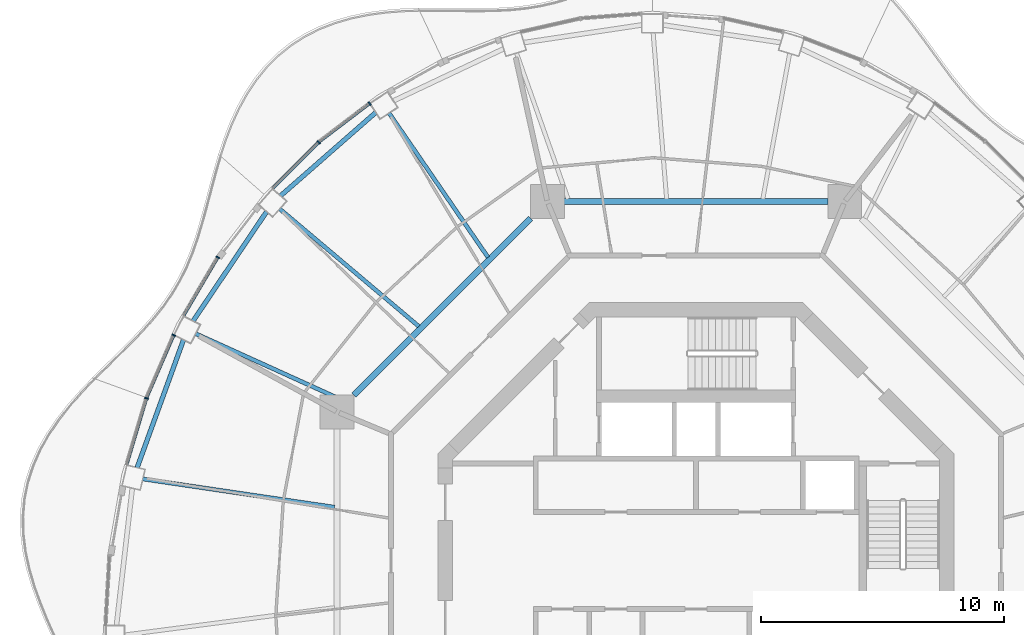
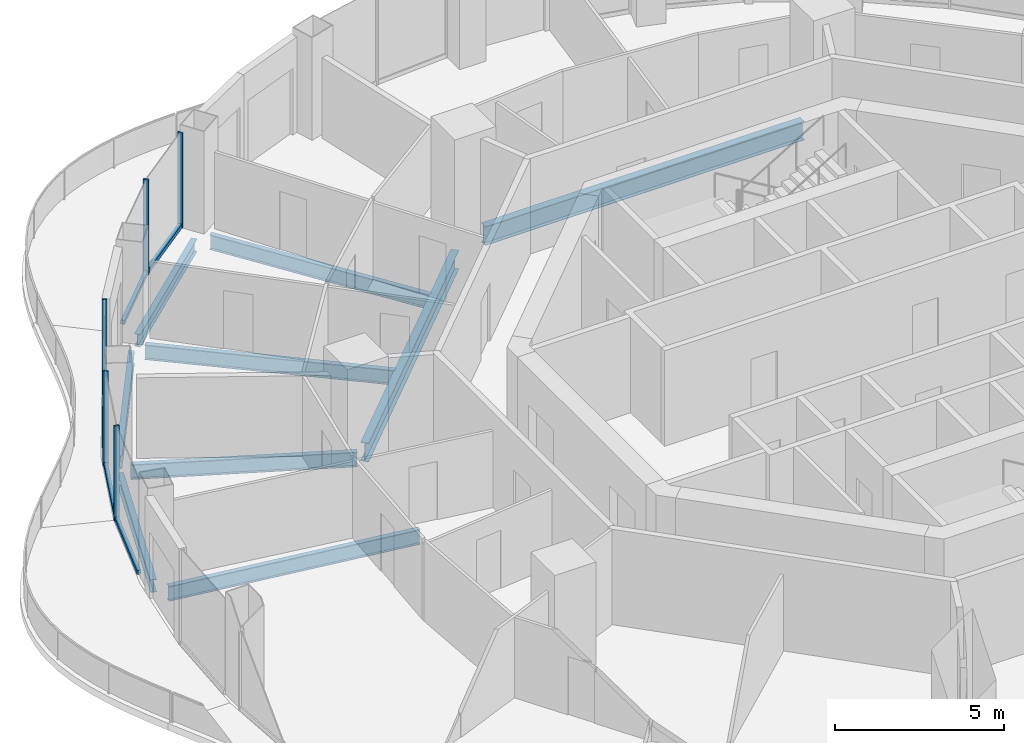
# One storey, part 5 of 17: 10 members, 9 beams, 5 elements without a shape of their own.
"""IFC4 building model written with IfcOpenShell, lengths in metres."""

from ifc_helpers import new_model, si_unit, direction, frame, origin, origin_2d, place, context, subcontext, project, spatial, rectangle, i_section, extrude, material, layer, layer_set, material_profile, profile_set, type_object, element, aggregate, save


model = new_model("IFC4")

# Units and contexts
model_context = context("Model", 3, precision=1e-05, world=origin(), true_north=direction((0.0, 1.0)))
body_context = subcontext(model_context, "Body", "Model", "MODEL_VIEW")
ifc_project = project(units=[si_unit("LENGTHUNIT", "METRE"), si_unit("AREAUNIT", "SQUARE_METRE"), si_unit("VOLUMEUNIT", "CUBIC_METRE"), si_unit("PLANEANGLEUNIT", "RADIAN"), si_unit("MASSUNIT", "GRAM", prefix="KILO")], contexts=[model_context])

# Site, building, storey
site_placement = place(None, origin())
site = spatial("IfcSite", under=ifc_project, at=site_placement, CompositionType="ELEMENT")
building_placement = place(site_placement, origin())
building = spatial("IfcBuilding", under=site, at=building_placement, Name="Nagisa Residences", CompositionType="ELEMENT")
storey_placement = place(building_placement, frame((0.0, 0.0, 291.800048828125)))
storey = spatial("IfcBuildingStorey", under=building, at=storey_placement, Name="L74", CompositionType="ELEMENT", Elevation=291.800048828125)

# Curtain wall, member
ifc_material_1 = material(Name="Concrete-coloured aluminium curtain wall system", Category="concrete")
ifc_layer = layer(ifc_material_1, 0.159912109375)
ifc_layer_set = layer_set([ifc_layer], Name="CW1 CURTAIN WALL")
curtain_wall_type = type_object("IfcCurtainWallType", Name="CW1 CURTAIN WALL", PredefinedType="NOTDEFINED", material=ifc_layer_set)
curtain_wall_1_placement = place(storey_placement, origin())
curtain_wall_1 = element("IfcCurtainWall", 1, at=curtain_wall_1_placement, inside=storey, type_object=curtain_wall_type, Name="cw:CW1:L74:16", PredefinedType="NOTDEFINED")
ifc_material_2 = material(Name="Concrete-coloured aluminium", Category="concrete")
ifc_material_profile_1 = material_profile(ifc_material_2, rectangle(XDim=0.159912109375, YDim=0.06005859375, at=origin_2d()), Name="CW1 MULLION 160x60")
ifc_profile_set_1 = profile_set([ifc_material_profile_1], Name="Concrete-coloured aluminium")
member_type_1 = type_object("IfcMemberType", Name="CW1 MULLION 160x60", PredefinedType="MULLION", material=ifc_profile_set_1)
member_1_placement = place(storey_placement, frame((-13.443603515625, 18.819580078125, 0.0), z_axis=(0.0, 0.0, 1.0), x_axis=(0.605255421737, -0.79603132756, 0.0)))
member_1 = element("IfcMember", 2, at=member_1_placement, type_object=member_type_1, Name="CW1 mullion", PredefinedType="MULLION", context=body_context, shape_type="SweptSolid", body=[
    extrude(rectangle(XDim=0.159912109375, YDim=0.06005859375, at=origin_2d()), origin(), (0.0, 0.0, 1.0), 3.43994140625),
])

curtain_wall_2_placement = place(storey_placement, origin())
curtain_wall_2 = element("IfcCurtainWall", 3, at=curtain_wall_2_placement, inside=storey, type_object=curtain_wall_type, Name="cw:CW1:L74:17", PredefinedType="NOTDEFINED")
member_2_placement = place(storey_placement, frame((-15.534912109375, 17.225341796875, 0.0), z_axis=(0.0, 0.0, 1.0), x_axis=(0.706376885714, -0.707835924016, 0.0)))
member_2 = element("IfcMember", 4, at=member_2_placement, type_object=member_type_1, Name="CW1 mullion", PredefinedType="MULLION", context=body_context, shape_type="SweptSolid", body=[
    extrude(rectangle(XDim=0.159912109375, YDim=0.06005859375, at=origin_2d()), origin(), (0.0, 0.0, 1.0), 3.43994140625),
])

curtain_wall_3_placement = place(storey_placement, origin())
curtain_wall_3 = element("IfcCurtainWall", 5, at=curtain_wall_3_placement, inside=storey, type_object=curtain_wall_type, Name="cw:CW1:L74:19", PredefinedType="NOTDEFINED")
member_3_placement = place(storey_placement, frame((-19.69189453125, 12.4853515625, 0.0), z_axis=(0.0, 0.0, 1.0), x_axis=(0.862328898214, -0.506348567002, 0.0)))
member_3 = element("IfcMember", 6, at=member_3_placement, type_object=member_type_1, Name="CW1 mullion", PredefinedType="MULLION", context=body_context, shape_type="SweptSolid", body=[
    extrude(rectangle(XDim=0.159912109375, YDim=0.06005859375, at=origin_2d()), origin(), (0.0, 0.0, 1.0), 3.43994140625),
])

curtain_wall_4_placement = place(storey_placement, origin())
curtain_wall_4 = element("IfcCurtainWall", 7, at=curtain_wall_4_placement, inside=storey, type_object=curtain_wall_type, Name="cw:CW1:L74:20", PredefinedType="NOTDEFINED")
member_4_placement = place(storey_placement, frame((-21.5068359375, 9.280029296875, 0.0), z_axis=(0.0, 0.0, 1.0), x_axis=(0.917543276295, -0.397635934147, 0.0)))
member_4 = element("IfcMember", 8, at=member_4_placement, type_object=member_type_1, Name="CW1 mullion", PredefinedType="MULLION", context=body_context, shape_type="SweptSolid", body=[
    extrude(rectangle(XDim=0.159912109375, YDim=0.06005859375, at=origin_2d()), origin(), (0.0, 0.0, 1.0), 3.43994140625),
])

curtain_wall_5_placement = place(storey_placement, origin())
curtain_wall_5 = element("IfcCurtainWall", 9, at=curtain_wall_5_placement, inside=storey, type_object=curtain_wall_type, Name="cw:CW1:L74:21", PredefinedType="NOTDEFINED")
member_5_placement = place(storey_placement, frame((-22.630126953125, 6.680908203125, 0.0), z_axis=(0.0, 0.0, 1.0), x_axis=(0.958271310082, -0.285860274038, 0.0)))
member_5 = element("IfcMember", 10, at=member_5_placement, type_object=member_type_1, Name="CW1 mullion", PredefinedType="MULLION", context=body_context, shape_type="SweptSolid", body=[
    extrude(rectangle(XDim=0.159912109375, YDim=0.06005859375, at=origin_2d()), origin(), (0.0, 0.0, 1.0), 3.43994140625),
])

# Member
ifc_material_3 = material(Name="Concrete-coloured aluminium", Category="concrete")
ifc_material_profile_2 = material_profile(ifc_material_3, rectangle(XDim=0.1201171875, YDim=0.14990234375, at=origin_2d()), Name="CW1 TRANSOM 120x150")
ifc_profile_set_2 = profile_set([ifc_material_profile_2], Name="Concrete-coloured aluminium")
member_type_2 = type_object("IfcMemberType", Name="CW1 TRANSOM 120x150", PredefinedType="USERDEFINED", material=ifc_profile_set_2)
member_6_placement = place(storey_placement, frame((-13.419677734375, 18.837646484375, 0.074951171875), z_axis=(-0.796055284084, -0.605223912847, 0.0), x_axis=(0.605223912847, -0.796055284084, 0.0)))
member_6 = element("IfcMember", 11, at=member_6_placement, type_object=member_type_2, Name="CW1 transom", ObjectType="TRANSOM", PredefinedType="USERDEFINED", context=body_context, shape_type="SweptSolid", body=[
    extrude(rectangle(XDim=0.1201171875, YDim=0.14990234375, at=origin_2d()), origin(), (0.0, 0.0, 1.0), 2.640625),
])

aggregate(curtain_wall_1, [member_1, member_6])

member_7_placement = place(storey_placement, frame((-15.513671875, 17.24658203125, 0.074951171875), z_axis=(-0.707831739508, -0.706381078841, 0.0), x_axis=(0.706381078841, -0.707831739508, 0.0)))
member_7 = element("IfcMember", 12, at=member_7_placement, type_object=member_type_2, Name="CW1 transom", ObjectType="TRANSOM", PredefinedType="USERDEFINED", context=body_context, shape_type="SweptSolid", body=[
    extrude(rectangle(XDim=0.1201171875, YDim=0.14990234375, at=origin_2d()), origin(), (0.0, 0.0, 1.0), 2.692626953125),
])

aggregate(curtain_wall_2, [member_2, member_7])

member_8_placement = place(storey_placement, frame((-19.6767578125, 12.51123046875, 0.074951171875), z_axis=(-0.506371364425, -0.862315511452, 0.0), x_axis=(0.862315511452, -0.506371364425, 0.0)))
member_8 = element("IfcMember", 13, at=member_8_placement, type_object=member_type_2, Name="CW1 transom", ObjectType="TRANSOM", PredefinedType="USERDEFINED", context=body_context, shape_type="SweptSolid", body=[
    extrude(rectangle(XDim=0.1201171875, YDim=0.14990234375, at=origin_2d()), origin(), (0.0, 0.0, 1.0), 2.79638671875),
])

aggregate(curtain_wall_3, [member_3, member_8])

member_9_placement = place(storey_placement, frame((-21.4951171875, 9.3076171875, 0.074951171875), z_axis=(-0.397597791596, -0.9175598052, 0.0), x_axis=(0.9175598052, -0.397597791596, 0.0)))
member_9 = element("IfcMember", 14, at=member_9_placement, type_object=member_type_2, Name="CW1 transom", ObjectType="TRANSOM", PredefinedType="USERDEFINED", context=body_context, shape_type="SweptSolid", body=[
    extrude(rectangle(XDim=0.1201171875, YDim=0.14990234375, at=origin_2d()), origin(), (0.0, 0.0, 1.0), 2.841064453125),
])

aggregate(curtain_wall_4, [member_4, member_9])

member_10_placement = place(storey_placement, frame((-22.62158203125, 6.709716796875, 0.074951171875), z_axis=(-0.285798286059, -0.958289799427, 0.0), x_axis=(0.958289799427, -0.285798286059, 0.0)))
member_10 = element("IfcMember", 15, at=member_10_placement, type_object=member_type_2, Name="CW1 transom", ObjectType="TRANSOM", PredefinedType="USERDEFINED", context=body_context, shape_type="SweptSolid", body=[
    extrude(rectangle(XDim=0.1201171875, YDim=0.14990234375, at=origin_2d()), origin(), (0.0, 0.0, 1.0), 2.877197265625),
])

aggregate(curtain_wall_5, [member_5, member_10])

# Beams
ifc_material_4 = material(Name="Steel ASTM A572 Gr 50", Category="steel")
ifc_material_profile_3 = material_profile(ifc_material_4, i_section(OverallWidth=0.2529296875, OverallDepth=0.677978515625, WebThickness=0.01171875, FlangeThickness=0.016357421875, at=origin_2d()), Name="W690x125")
ifc_profile_set_3 = profile_set([ifc_material_profile_3], Name="Steel ASTM A572 Gr 50")
beam_type_1 = type_object("IfcBeamType", Name="Inner ring beam W690x125", PredefinedType="BEAM", material=ifc_profile_set_3)
beam_1_placement = place(storey_placement, frame((5.44287109375, 14.781982421875, -0.59912109375), z_axis=(-1.0, 0.0, 0.0), x_axis=(0.0, -1.0, 0.0)))
element("IfcBeam", 16, at=beam_1_placement, inside=storey, type_object=beam_type_1, Name="beam:L74:ib2", PredefinedType="BEAM", context=body_context, shape_type="SweptSolid", body=[
    extrude(i_section(OverallWidth=0.2529296875, OverallDepth=0.677978515625, WebThickness=0.01171875, FlangeThickness=0.016357421875, at=origin_2d()), origin(), (0.0, 0.0, 1.0), 10.8857421875),
])
beam_2_placement = place(storey_placement, frame((-6.808837890625, 14.09619140625, -0.59912109375), z_axis=(-0.707106781187, -0.707106781187, 0.0), x_axis=(0.707106781187, -0.707106781187, 0.0)))
element("IfcBeam", 17, at=beam_2_placement, inside=storey, type_object=beam_type_1, Name="beam:L74:ib3", PredefinedType="BEAM", context=body_context, shape_type="SweptSolid", body=[
    extrude(i_section(OverallWidth=0.2529296875, OverallDepth=0.677978515625, WebThickness=0.01171875, FlangeThickness=0.016357421875, at=origin_2d()), origin(), (0.0, 0.0, 1.0), 10.305908203125),
])
ifc_material_5 = material(Name="Steel ASTM A572 Gr 50", Category="steel")
ifc_material_profile_4 = material_profile(ifc_material_5, i_section(OverallWidth=0.18994140625, OverallDepth=0.45703125, WebThickness=0.009033203125, FlangeThickness=0.014404296875, at=origin_2d()), Name="W460x74")
ifc_profile_set_4 = profile_set([ifc_material_profile_4], Name="Steel ASTM A572 Gr 50")
beam_type_2 = type_object("IfcBeamType", Name="Perimeter ring beam W460x74", PredefinedType="BEAM", material=ifc_profile_set_4)
beam_3_placement = place(storey_placement, frame((-13.186767578125, 18.45458984375, -0.488525390625), z_axis=(-0.752365189148, -0.658746250204, 0.0), x_axis=(0.658746250204, -0.752365189148, 0.0)))
element("IfcBeam", 18, at=beam_3_placement, inside=storey, type_object=beam_type_2, Name="beam:L74:pb09", PredefinedType="BEAM", context=body_context, shape_type="SweptSolid", body=[
    extrude(i_section(OverallWidth=0.18994140625, OverallDepth=0.45703125, WebThickness=0.009033203125, FlangeThickness=0.014404296875, at=origin_2d()), origin(), (0.0, 0.0, 1.0), 5.220947265625),
])
beam_4_placement = place(storey_placement, frame((-17.683349609375, 14.36962890625, -0.488525390625), z_axis=(-0.558035477156, -0.829817092036, 0.0), x_axis=(0.829817092036, -0.558035477156, 0.0)))
element("IfcBeam", 19, at=beam_4_placement, inside=storey, type_object=beam_type_2, Name="beam:L74:pb10", PredefinedType="BEAM", context=body_context, shape_type="SweptSolid", body=[
    extrude(i_section(OverallWidth=0.18994140625, OverallDepth=0.45703125, WebThickness=0.009033203125, FlangeThickness=0.014404296875, at=origin_2d()), origin(), (0.0, 0.0, 1.0), 5.431884765625),
])
beam_5_placement = place(storey_placement, frame((-21.104248046875, 9.094970703125, -0.488525390625), z_axis=(-0.341250304478, -0.9399724622, 0.0), x_axis=(0.9399724622, -0.341250304478, 0.0)))
element("IfcBeam", 20, at=beam_5_placement, inside=storey, type_object=beam_type_2, Name="beam:L74:pb11", PredefinedType="BEAM", context=body_context, shape_type="SweptSolid", body=[
    extrude(i_section(OverallWidth=0.18994140625, OverallDepth=0.45703125, WebThickness=0.009033203125, FlangeThickness=0.014404296875, at=origin_2d()), origin(), (0.0, 0.0, 1.0), 5.609619140625),
])
ifc_material_6 = material(Name="Steel ASTM A572 Gr 50", Category="steel")
ifc_material_profile_5 = material_profile(ifc_material_6, i_section(OverallWidth=0.166015625, OverallDepth=0.534912109375, WebThickness=0.01025390625, FlangeThickness=0.0166015625, at=origin_2d()), Name="W530x85")
ifc_profile_set_5 = profile_set([ifc_material_profile_5], Name="Steel ASTM A572 Gr 50")
beam_type_3 = type_object("IfcBeamType", Name="Radial beam W530x85", PredefinedType="BEAM", material=ifc_profile_set_5)
beam_6_placement = place(storey_placement, frame((-12.64501953125, 18.427490234375, -0.527587890625), z_axis=(0.565802292405, -0.824540942531, 0.0), x_axis=(0.824540942531, 0.565802292405, 0.0)))
element("IfcBeam", 21, at=beam_6_placement, inside=storey, type_object=beam_type_3, Name="beam:L74:rb09", PredefinedType="BEAM", context=body_context, shape_type="SweptSolid", body=[
    extrude(i_section(OverallWidth=0.166015625, OverallDepth=0.534912109375, WebThickness=0.01025390625, FlangeThickness=0.0166015625, at=origin_2d()), origin(), (0.0, 0.0, 1.0), 7.204345703125),
])
beam_7_placement = place(storey_placement, frame((-17.15087890625, 14.484375, -0.527587890625), z_axis=(0.764006403763, -0.645208660054, 0.0), x_axis=(0.645208660054, 0.764006403763, 0.0)))
element("IfcBeam", 22, at=beam_7_placement, inside=storey, type_object=beam_type_3, Name="beam:L74:rb10", PredefinedType="BEAM", context=body_context, shape_type="SweptSolid", body=[
    extrude(i_section(OverallWidth=0.166015625, OverallDepth=0.534912109375, WebThickness=0.01025390625, FlangeThickness=0.0166015625, at=origin_2d()), origin(), (0.0, 0.0, 1.0), 7.50732421875),
])
beam_8_placement = place(storey_placement, frame((-20.610107421875, 9.34521484375, -0.527587890625), z_axis=(0.910751667619, -0.412954476824, 0.0), x_axis=(0.412954476824, 0.910751667619, 0.0)))
element("IfcBeam", 23, at=beam_8_placement, inside=storey, type_object=beam_type_3, Name="beam:L74:rb11", PredefinedType="BEAM", context=body_context, shape_type="SweptSolid", body=[
    extrude(i_section(OverallWidth=0.166015625, OverallDepth=0.534912109375, WebThickness=0.01025390625, FlangeThickness=0.0166015625, at=origin_2d()), origin(), (0.0, 0.0, 1.0), 6.721923828125),
])
beam_9_placement = place(storey_placement, frame((-22.788818359375, 3.359375, -0.527587890625), z_axis=(0.989309244243, -0.145832846968, 0.0), x_axis=(0.145832846968, 0.989309244243, 0.0)))
element("IfcBeam", 24, at=beam_9_placement, inside=storey, type_object=beam_type_3, Name="beam:L74:rb12", PredefinedType="BEAM", context=body_context, shape_type="SweptSolid", body=[
    extrude(i_section(OverallWidth=0.166015625, OverallDepth=0.534912109375, WebThickness=0.01025390625, FlangeThickness=0.0166015625, at=origin_2d()), origin(), (0.0, 0.0, 1.0), 7.985595703125),
])

save(model, "model.ifc")
